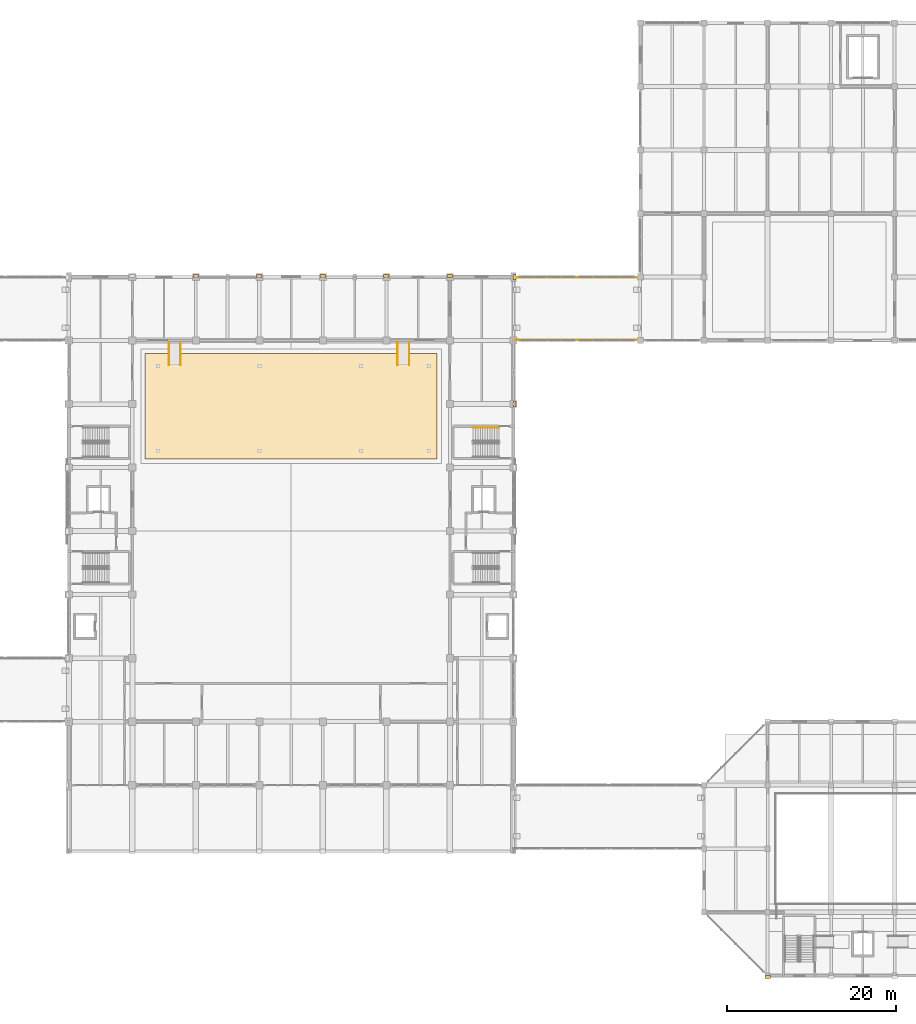
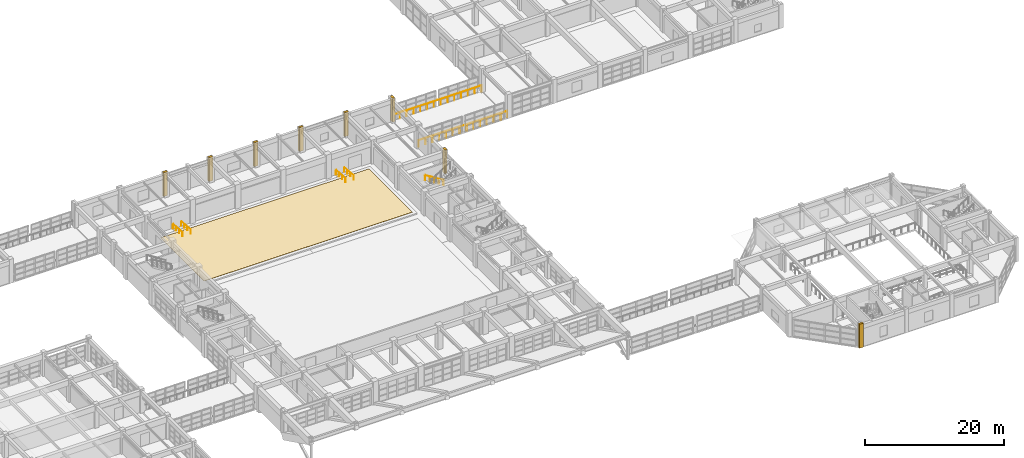
# One storey, part 127 of 132: 9 coverings, 7 railings.
"""IFC4 building model written with IfcOpenShell, lengths in metres."""

import ifcopenshell
import ifcopenshell.guid

model = None  # the IFC model being written
_history = None  # IfcOwnerHistory: only IFC2X3 demands one
_inside = {}  # id of a spatial element -> (the spatial element, [elements in it])
_under = {}  # id of a project, library or spatial element -> (it, [spatial elements below it])
_declared = {}  # id of a project -> (the project, [libraries it declares])
_typed = {}  # id of a type object -> (the type object, [elements of that type])
_made_of = {}  # id of a material, layer set ... -> (it, [elements and type objects made of it])


def new_model(schema):
    """Start an empty IFC model of exactly this schema.

    Asked for "IFC4X3", IfcOpenShell would pick the latest addendum, in which some entities
    have other attributes; the version numbers below select the first issue.
    IFC2X3 requires an IfcOwnerHistory on every rooted entity: one is made here for all.
    """
    global model, _history
    if schema == "IFC4X3":
        model = ifcopenshell.file(schema_version=(4, 3, 0, 0))
    else:
        model = ifcopenshell.file(schema=schema)
    _inside.clear()
    _under.clear()
    _declared.clear()
    _typed.clear()
    _made_of.clear()
    _history = None
    if model.schema == "IFC2X3":
        org = make("IfcOrganization", Name="unknown")
        user = make(
            "IfcPersonAndOrganization",
            ThePerson=make("IfcPerson", FamilyName="unknown"),
            TheOrganization=org,
        )
        app = make(
            "IfcApplication",
            ApplicationDeveloper=org,
            Version="unknown",
            ApplicationFullName="unknown",
            ApplicationIdentifier="unknown",
        )
        _history = make(
            "IfcOwnerHistory",
            OwningUser=user,
            OwningApplication=app,
            ChangeAction="ADDED",
            CreationDate=0,
        )
    return model


def make(cls, **values):
    """One entity of the class cls with the attributes given. An attribute that is None is left unset."""
    return model.create_entity(
        cls, **{name: value for name, value in values.items() if value is not None}
    )


def rooted(cls, **values):
    """An entity with a GlobalId (a new one), such as an element, a storey or a relation."""
    return make(cls, GlobalId=ifcopenshell.guid.new(), OwnerHistory=_history, **values)


def si_unit(unit_type, name, prefix=None):
    """IfcSIUnit, for example si_unit("LENGTHUNIT", "METRE", prefix="MILLI")."""
    return make("IfcSIUnit", UnitType=unit_type, Prefix=prefix, Name=name)


def assignment(units):
    """IfcUnitAssignment: the units of a project."""
    return None if units is None else make("IfcUnitAssignment", Units=units)


def point(xyz):
    """IfcCartesianPoint."""
    return None if xyz is None else make("IfcCartesianPoint", Coordinates=xyz)


def direction(xyz):
    """IfcDirection."""
    return None if xyz is None else make("IfcDirection", DirectionRatios=xyz)


def frame(location, z_axis=None, x_axis=None):
    """IfcAxis2Placement3D, a coordinate frame: its origin and axes. An axis left out is left unset."""
    return make(
        "IfcAxis2Placement3D",
        Location=point(location),
        Axis=direction(z_axis),
        RefDirection=direction(x_axis),
    )


def frame_2d(location, x_axis=None):
    """IfcAxis2Placement2D, a coordinate frame in the plane: its origin and x axis."""
    return make(
        "IfcAxis2Placement2D", Location=point(location), RefDirection=direction(x_axis)
    )


def origin():
    """The frame at (0, 0, 0) with its axes left unset."""
    return frame((0.0, 0.0, 0.0))


def origin_2d():
    """The frame at (0, 0) in the plane with its x axis left unset."""
    return frame_2d((0.0, 0.0))


def place(relative_to, where):
    """IfcLocalPlacement: puts the frame where relative to a parent placement (None: the world)."""
    return make(
        "IfcLocalPlacement", PlacementRelTo=relative_to, RelativePlacement=where
    )


def context(
    kind, dimensions, precision=None, world=None, true_north=None, identifier=None
):
    """IfcGeometricRepresentationContext, for example the 3D "Model" context."""
    return make(
        "IfcGeometricRepresentationContext",
        ContextIdentifier=identifier,
        ContextType=kind,
        CoordinateSpaceDimension=dimensions,
        Precision=precision,
        WorldCoordinateSystem=world,
        TrueNorth=true_north,
    )


def subcontext(parent, identifier, kind, view, scale=None):
    """IfcGeometricRepresentationSubContext, for example "Body" below "Model"."""
    return make(
        "IfcGeometricRepresentationSubContext",
        ContextIdentifier=identifier,
        ContextType=kind,
        ParentContext=parent,
        TargetScale=scale,
        TargetView=view,
    )


def project(units=None, contexts=None):
    """IfcProject with its units and contexts."""
    return rooted(
        "IfcProject",
        Name="project",
        RepresentationContexts=contexts,
        UnitsInContext=assignment(units),
    )


def spatial(cls, under=None, at=None, **own):
    """A site, building, storey or space (cls), placed at a placement, below another one or the project."""
    s = rooted(cls, ObjectPlacement=at, **own)
    if under is not None:
        _under.setdefault(under.id(), (under, []))[1].append(s)
    return s


def polyline(points):
    """IfcPolyline through the points."""
    return make("IfcPolyline", Points=[point(p) for p in points])


def profile(cls, at=None, kind="AREA", **sizes):
    """A parametric profile (cls). Its sizes go by their IFC names, for example OverallWidth=200.0."""
    return make(cls, ProfileType=kind, Position=at, **sizes)


def rectangle(**sizes):
    """IfcRectangleProfileDef."""
    return profile("IfcRectangleProfileDef", **sizes)


def circle(**sizes):
    """IfcCircleProfileDef."""
    return profile("IfcCircleProfileDef", **sizes)


def outline(outer, holes=None, kind="AREA"):
    """IfcArbitraryClosedProfileDef: a profile drawn as a closed curve; with holes, ...WithVoids."""
    if holes is None:
        return make("IfcArbitraryClosedProfileDef", ProfileType=kind, OuterCurve=outer)
    return make(
        "IfcArbitraryProfileDefWithVoids",
        ProfileType=kind,
        OuterCurve=outer,
        InnerCurves=holes,
    )


def extrude(swept, where, along, depth):
    """IfcExtrudedAreaSolid: the profile swept, set in the frame where, extruded along a direction by depth."""
    return make(
        "IfcExtrudedAreaSolid",
        SweptArea=swept,
        Position=where,
        ExtrudedDirection=direction(along),
        Depth=depth,
    )


def shape(context_of_items, identifier, shape_type, items):
    """IfcShapeRepresentation: the items that make up one representation, for example the "Body"."""
    return make(
        "IfcShapeRepresentation",
        ContextOfItems=context_of_items,
        RepresentationIdentifier=identifier,
        RepresentationType=shape_type,
        Items=items,
    )


def material(Name=None, Category=None):
    """IfcMaterial."""
    return make("IfcMaterial", Name=Name, Category=Category)


def layer(
    of_material, thickness, ventilated=None, Name=None, Category=None, Priority=None
):
    """IfcMaterialLayer: one layer of a wall or slab, of a material (None: an air gap)."""
    return make(
        "IfcMaterialLayer",
        Material=of_material,
        LayerThickness=thickness,
        IsVentilated=ventilated,
        Name=Name,
        Category=Category,
        Priority=Priority,
    )


def layer_set(layers, Name=None):
    """IfcMaterialLayerSet."""
    return make("IfcMaterialLayerSet", MaterialLayers=layers, LayerSetName=Name)


def made_of(thing, what):
    """Note that an element or type object is made of a material, layer set ...; save() writes the relation."""
    if what is not None:
        _made_of.setdefault(what.id(), (what, []))[1].append(thing)
    return thing


def type_object(cls, material=None, **own):
    """A type object (cls), such as IfcWallType, which elements share."""
    return made_of(rooted(cls, **own), material)


def element(
    cls,
    number,
    at=None,
    inside=None,
    cuts=None,
    type_object=None,
    material=None,
    context=None,
    identifier="Body",
    shape_type=None,
    held_by="IfcProductDefinitionShape",
    body=None,
    shapes=None,
    **own,
):
    """One element of the class cls, such as IfcWall. Its Tag is "e" and its number.

    at: its placement. inside: the storey or other place that contains it. cuts: it is an
    opening in that element (IfcRelVoidsElement). A single representation is given by context,
    identifier, shape_type and body (its items); several are given by shapes. held_by: the class
    of the entity that holds the representations. save() writes the other relations.
    """
    e = rooted(cls, Tag="e%d" % number, ObjectPlacement=at, **own)
    if body is not None:
        shapes = [shape(context, identifier, shape_type, body)]
    if shapes is not None:
        e.Representation = make(held_by, Representations=shapes)
    if inside is not None:
        _inside.setdefault(inside.id(), (inside, []))[1].append(e)
    if cuts is not None:
        rooted(
            "IfcRelVoidsElement", RelatingBuildingElement=cuts, RelatedOpeningElement=e
        )
    if type_object is not None:
        _typed.setdefault(type_object.id(), (type_object, []))[1].append(e)
    return made_of(e, material)


def aggregate(whole, parts):
    """IfcRelAggregates: a whole, such as a stair, and the parts it consists of."""
    return rooted("IfcRelAggregates", RelatingObject=whole, RelatedObjects=parts)


def save(model, path):
    """Write the relations noted so far, then the file.

    IfcRelAggregates (storeys below a building ...), IfcRelContainedInSpatialStructure (elements
    in a storey), IfcRelDefinesByType, IfcRelAssociatesMaterial and IfcRelDeclares: one each for
    every whole, place, type object, material and project.
    """
    for whole, parts in _under.values():
        aggregate(whole, parts)
    for where, things in _inside.values():
        rooted(
            "IfcRelContainedInSpatialStructure",
            RelatedElements=things,
            RelatingStructure=where,
        )
    for kind, things in _typed.values():
        rooted("IfcRelDefinesByType", RelatedObjects=things, RelatingType=kind)
    for what, things in _made_of.values():
        rooted("IfcRelAssociatesMaterial", RelatedObjects=things, RelatingMaterial=what)
    for by, libraries in _declared.values():
        rooted("IfcRelDeclares", RelatingContext=by, RelatedDefinitions=libraries)
    model.write(path)


model = new_model("IFC4")

# Units and contexts
model_context = context("Model", 3, precision=1e-05, world=origin(), true_north=direction((0.0, 1.0)))
body_context = subcontext(model_context, "Body", "Model", "MODEL_VIEW")
ifc_project = project(units=[si_unit("LENGTHUNIT", "METRE"), si_unit("AREAUNIT", "SQUARE_METRE"), si_unit("VOLUMEUNIT", "CUBIC_METRE"), si_unit("PLANEANGLEUNIT", "RADIAN"), si_unit("MASSUNIT", "GRAM", prefix="KILO")], contexts=[model_context])

# Site, building, storey
site_placement = place(None, origin())
site = spatial("IfcSite", under=ifc_project, at=site_placement, CompositionType="ELEMENT")
building_placement = place(site_placement, origin())
building = spatial("IfcBuilding", under=site, at=building_placement, Name="Qasida Concert Hall", CompositionType="ELEMENT")
storey_placement = place(building_placement, frame((0.0, 0.0, 4.800048828125)))
storey = spatial("IfcBuildingStorey", under=building, at=storey_placement, Name="L01", CompositionType="ELEMENT", Elevation=4.800048828125)

# Coverings
ifc_material_1 = material(Name="Quarter-sawn European oak stage and parterre flooring", Category="wood")
ifc_layer_1 = layer(ifc_material_1, 0.030029296875, Name="Quarter-sawn European oak stage and parterre flooring")
ifc_layer_set_1 = layer_set([ifc_layer_1], Name="Quarter-sawn European oak stage and parterre flooring")
covering_type_1 = type_object("IfcCoveringType", Name="CV-FL-1", PredefinedType="FLOORING", material=ifc_layer_set_1)
covering_placement = place(storey_placement, frame((0.0, 0.0, 0.2099609375)))
element("IfcCovering", 1, at=covering_placement, inside=storey, type_object=covering_type_1, Name="L01 acoustic timber flooring 03", PredefinedType="FLOORING", context=body_context, shape_type="SweptSolid", body=[
    extrude(outline(polyline([(61.5, 61.0), (96.0, 61.0), (96.0, 73.5), (61.5, 73.5), (61.5, 61.0)])), origin(), (0.0, 0.0, 1.0), 0.030029296875),
])
ifc_material_2 = material(Name="Projecting fluted Lebanese limestone Art Deco pilaster", Category="masonry")
ifc_layer_2 = layer(ifc_material_2, 0.35009765625, Name="Projecting fluted Lebanese limestone Art Deco pilaster")
ifc_layer_set_2 = layer_set([ifc_layer_2], Name="Projecting fluted Lebanese limestone Art Deco pilaster")
covering_type_2 = type_object("IfcCoveringType", Name="CV-PIL-650", PredefinedType="CLADDING", material=ifc_layer_set_2)
for number, where, z_axis, x_axis, name in (
    (2, (105.135009765625, 67.5, 0.0), (0.0, 0.0, 1.0), (1.0, 0.0, 0.0), "L01 fluted limestone pilaster 0079"),
    (3, (105.135009765625, 82.5, 0.0), (0.0, 0.0, 1.0), (1.0, 0.0, 0.0), "L01 fluted limestone pilaster 0093"),
):
    element("IfcCovering", number, at=place(storey_placement, frame(where, z_axis=z_axis, x_axis=x_axis)), inside=storey, type_object=covering_type_2, Name=name, PredefinedType="CLADDING", context=body_context, shape_type="SweptSolid", body=[
        extrude(rectangle(XDim=0.35009765625, YDim=0.64990234375, at=origin_2d()), origin(), (0.0, 0.0, 1.0), 4.199951171875),
    ])
for number, where, z_axis, x_axis, name in (
    (4, (67.5, 82.635009765625, 0.0), (0.0, 0.0, 1.0), (1.0, 0.0, 0.0), "L01 fluted limestone pilaster 0107"),
    (5, (75.0, 82.635009765625, 0.0), (0.0, 0.0, 1.0), (1.0, 0.0, 0.0), "L01 fluted limestone pilaster 0114"),
    (6, (82.5, 82.635009765625, 0.0), (0.0, 0.0, 1.0), (1.0, 0.0, 0.0), "L01 fluted limestone pilaster 0121"),
    (7, (90.0, 82.635009765625, 0.0), (0.0, 0.0, 1.0), (1.0, 0.0, 0.0), "L01 fluted limestone pilaster 0128"),
    (8, (97.5, 82.635009765625, 0.0), (0.0, 0.0, 1.0), (1.0, 0.0, 0.0), "L01 fluted limestone pilaster 0135"),
    (9, (135.0, -0.135009765625, 0.0), (0.0, 0.0, 1.0), (1.0, 0.0, 0.0), "L01 fluted limestone pilaster 0192"),
):
    element("IfcCovering", number, at=place(storey_placement, frame(where, z_axis=z_axis, x_axis=x_axis)), inside=storey, type_object=covering_type_2, Name=name, PredefinedType="CLADDING", context=body_context, shape_type="SweptSolid", body=[
        extrude(rectangle(XDim=0.64990234375, YDim=0.35009765625, at=origin_2d()), origin(), (0.0, 0.0, 1.0), 4.199951171875),
    ])

# Railings
ifc_material_3 = material(Name="Patinated architectural bronze and laminated glass infill", Category="glass")
ifc_layer_3 = layer(ifc_material_3, 0.080078125, Name="Patinated architectural bronze and laminated glass infill")
ifc_layer_set_3 = layer_set([ifc_layer_3], Name="Patinated architectural bronze and laminated glass infill")
railing_type_1 = type_object("IfcRailingType", Name="RL-GRD-1100", PredefinedType="GUARDRAIL", material=ifc_layer_set_3)
railing_1_placement = place(storey_placement, frame((105.179931640625, 75.050048828125, 0.0)))
element("IfcRailing", 10, at=railing_1_placement, inside=storey, type_object=railing_type_1, Name="L01 Stage bridge south guard 0034", PredefinedType="GUARDRAIL", context=body_context, shape_type="SweptSolid", body=[
    extrude(circle(Radius=0.02392578125, at=origin_2d()), frame((0.0, 0.0, 1.09619140625), z_axis=(1.0, 0.0, 0.0), x_axis=(0.0, 1.0, 0.0)), (0.0, 0.0, 1.0), 14.64013671875),
    extrude(circle(Radius=0.02099609375, at=origin_2d()), origin(), (0.0, 0.0, 1.0), 1.072021484375),
    extrude(circle(Radius=0.02099609375, at=origin_2d()), frame((1.126220703125, 0.0, 0.0)), (0.0, 0.0, 1.0), 1.072021484375),
    extrude(circle(Radius=0.02099609375, at=origin_2d()), frame((2.25244140625, 0.0, 0.0)), (0.0, 0.0, 1.0), 1.072021484375),
    extrude(circle(Radius=0.02099609375, at=origin_2d()), frame((3.37841796875, 0.0, 0.0)), (0.0, 0.0, 1.0), 1.072021484375),
    extrude(circle(Radius=0.02099609375, at=origin_2d()), frame((4.504638671875, 0.0, 0.0)), (0.0, 0.0, 1.0), 1.072021484375),
    extrude(circle(Radius=0.02099609375, at=origin_2d()), frame((5.630859375, 0.0, 0.0)), (0.0, 0.0, 1.0), 1.072021484375),
    extrude(circle(Radius=0.02099609375, at=origin_2d()), frame((6.757080078125, 0.0, 0.0)), (0.0, 0.0, 1.0), 1.072021484375),
    extrude(circle(Radius=0.02099609375, at=origin_2d()), frame((7.883056640625, 0.0, 0.0)), (0.0, 0.0, 1.0), 1.072021484375),
    extrude(circle(Radius=0.02099609375, at=origin_2d()), frame((9.00927734375, 0.0, 0.0)), (0.0, 0.0, 1.0), 1.072021484375),
    extrude(circle(Radius=0.02099609375, at=origin_2d()), frame((10.135498046875, 0.0, 0.0)), (0.0, 0.0, 1.0), 1.072021484375),
    extrude(circle(Radius=0.02099609375, at=origin_2d()), frame((11.26171875, 0.0, 0.0)), (0.0, 0.0, 1.0), 1.072021484375),
    extrude(circle(Radius=0.02099609375, at=origin_2d()), frame((12.3876953125, 0.0, 0.0)), (0.0, 0.0, 1.0), 1.072021484375),
    extrude(circle(Radius=0.02099609375, at=origin_2d()), frame((13.513916015625, 0.0, 0.0)), (0.0, 0.0, 1.0), 1.072021484375),
    extrude(circle(Radius=0.02099609375, at=origin_2d()), frame((14.64013671875, 0.0, 0.0)), (0.0, 0.0, 1.0), 1.072021484375),
])
railing_2_placement = place(storey_placement, frame((105.179931640625, 82.449951171875, 0.0)))
element("IfcRailing", 11, at=railing_2_placement, inside=storey, type_object=railing_type_1, Name="L01 Stage bridge north guard 0035", PredefinedType="GUARDRAIL", context=body_context, shape_type="SweptSolid", body=[
    extrude(circle(Radius=0.02392578125, at=origin_2d()), frame((0.0, 0.0, 1.09619140625), z_axis=(1.0, 0.0, 0.0), x_axis=(0.0, 1.0, 0.0)), (0.0, 0.0, 1.0), 14.64013671875),
    extrude(circle(Radius=0.02099609375, at=origin_2d()), origin(), (0.0, 0.0, 1.0), 1.072021484375),
    extrude(circle(Radius=0.02099609375, at=origin_2d()), frame((1.126220703125, 0.0, 0.0)), (0.0, 0.0, 1.0), 1.072021484375),
    extrude(circle(Radius=0.02099609375, at=origin_2d()), frame((2.25244140625, 0.0, 0.0)), (0.0, 0.0, 1.0), 1.072021484375),
    extrude(circle(Radius=0.02099609375, at=origin_2d()), frame((3.37841796875, 0.0, 0.0)), (0.0, 0.0, 1.0), 1.072021484375),
    extrude(circle(Radius=0.02099609375, at=origin_2d()), frame((4.504638671875, 0.0, 0.0)), (0.0, 0.0, 1.0), 1.072021484375),
    extrude(circle(Radius=0.02099609375, at=origin_2d()), frame((5.630859375, 0.0, 0.0)), (0.0, 0.0, 1.0), 1.072021484375),
    extrude(circle(Radius=0.02099609375, at=origin_2d()), frame((6.757080078125, 0.0, 0.0)), (0.0, 0.0, 1.0), 1.072021484375),
    extrude(circle(Radius=0.02099609375, at=origin_2d()), frame((7.883056640625, 0.0, 0.0)), (0.0, 0.0, 1.0), 1.072021484375),
    extrude(circle(Radius=0.02099609375, at=origin_2d()), frame((9.00927734375, 0.0, 0.0)), (0.0, 0.0, 1.0), 1.072021484375),
    extrude(circle(Radius=0.02099609375, at=origin_2d()), frame((10.135498046875, 0.0, 0.0)), (0.0, 0.0, 1.0), 1.072021484375),
    extrude(circle(Radius=0.02099609375, at=origin_2d()), frame((11.26171875, 0.0, 0.0)), (0.0, 0.0, 1.0), 1.072021484375),
    extrude(circle(Radius=0.02099609375, at=origin_2d()), frame((12.3876953125, 0.0, 0.0)), (0.0, 0.0, 1.0), 1.072021484375),
    extrude(circle(Radius=0.02099609375, at=origin_2d()), frame((13.513916015625, 0.0, 0.0)), (0.0, 0.0, 1.0), 1.072021484375),
    extrude(circle(Radius=0.02099609375, at=origin_2d()), frame((14.64013671875, 0.0, 0.0)), (0.0, 0.0, 1.0), 1.072021484375),
])
ifc_material_4 = material(Name="Patinated tubular architectural bronze", Category="steel")
ifc_layer_4 = layer(ifc_material_4, 0.050048828125, Name="Patinated tubular architectural bronze")
ifc_layer_set_4 = layer_set([ifc_layer_4], Name="Patinated tubular architectural bronze")
railing_type_2 = type_object("IfcRailingType", Name="RL-HND-900", PredefinedType="HANDRAIL", material=ifc_layer_set_4)
railing_3_placement = place(storey_placement, frame((103.320068359375, 64.7099609375, 0.175048828125)))
element("IfcRailing", 12, at=railing_3_placement, inside=storey, type_object=railing_type_2, Name="L01 ST-12 stair handrail 1", PredefinedType="HANDRAIL", context=body_context, shape_type="SweptSolid", body=[
    extrude(circle(Radius=0.02392578125, at=origin_2d()), frame((0.0, 0.0, 0.8759765625), z_axis=(-0.848028513186, 0.0, 0.529950602248), x_axis=(0.0, -1.0, 0.0)), (0.0, 0.0, 1.0), 3.632080078125),
    extrude(circle(Radius=0.02099609375, at=origin_2d()), origin(), (0.0, 0.0, 1.0), 0.851806640625),
    extrude(circle(Radius=0.02099609375, at=origin_2d()), frame((-0.77001953125, 0.0, 0.481201171875)), (0.0, 0.0, 1.0), 0.851806640625),
    extrude(circle(Radius=0.02099609375, at=origin_2d()), frame((-1.5400390625, 0.0, 0.96240234375)), (0.0, 0.0, 1.0), 0.851806640625),
    extrude(circle(Radius=0.02099609375, at=origin_2d()), frame((-2.31005859375, 0.0, 1.443603515625)), (0.0, 0.0, 1.0), 0.851806640625),
    extrude(circle(Radius=0.02099609375, at=origin_2d()), frame((-3.080078125, 0.0, 1.9248046875)), (0.0, 0.0, 1.0), 0.851806640625),
])
for number, where, name in (
    (13, (64.31005859375, 74.800048828125, 0.0), "Concert platform west accessible ramp handrail L"),
    (14, (65.68994140625, 74.800048828125, 0.0), "Concert platform west accessible ramp handrail R"),
    (15, (91.31005859375, 74.800048828125, 0.0), "Concert platform east accessible ramp handrail L"),
    (16, (92.68994140625, 74.800048828125, 0.0), "Concert platform east accessible ramp handrail R"),
):
    element("IfcRailing", number, at=place(storey_placement, frame(where)), inside=storey, type_object=railing_type_2, Name=name, PredefinedType="HANDRAIL", context=body_context, shape_type="SweptSolid", body=[
        extrude(circle(Radius=0.02392578125, at=origin_2d()), frame((0.0, 0.0, 0.8759765625), z_axis=(0.0, -0.996989969606, 0.07753064236), x_axis=(1.0, 0.0, 0.0)), (0.0, 0.0, 1.0), 2.7080078125),
        extrude(circle(Radius=0.02099609375, at=origin_2d()), origin(), (0.0, 0.0, 1.0), 0.851806640625),
        extrude(circle(Radius=0.02099609375, at=origin_2d()), frame((0.0, -0.89990234375, 0.070068359375)), (0.0, 0.0, 1.0), 0.851806640625),
        extrude(circle(Radius=0.02099609375, at=origin_2d()), frame((0.0, -1.800048828125, 0.139892578125)), (0.0, 0.0, 1.0), 0.851806640625),
        extrude(circle(Radius=0.02099609375, at=origin_2d()), frame((0.0, -2.699951171875, 0.2099609375)), (0.0, 0.0, 1.0), 0.851806640625),
    ])

save(model, "model.ifc")
